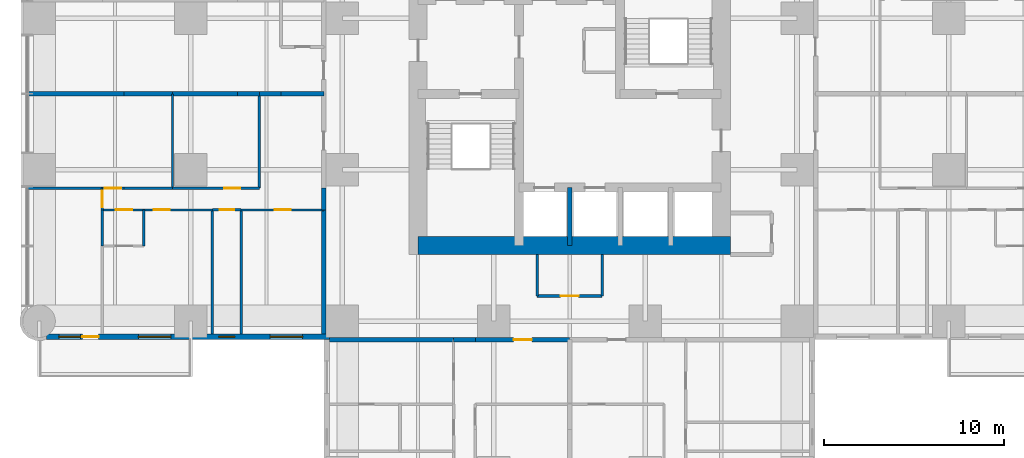
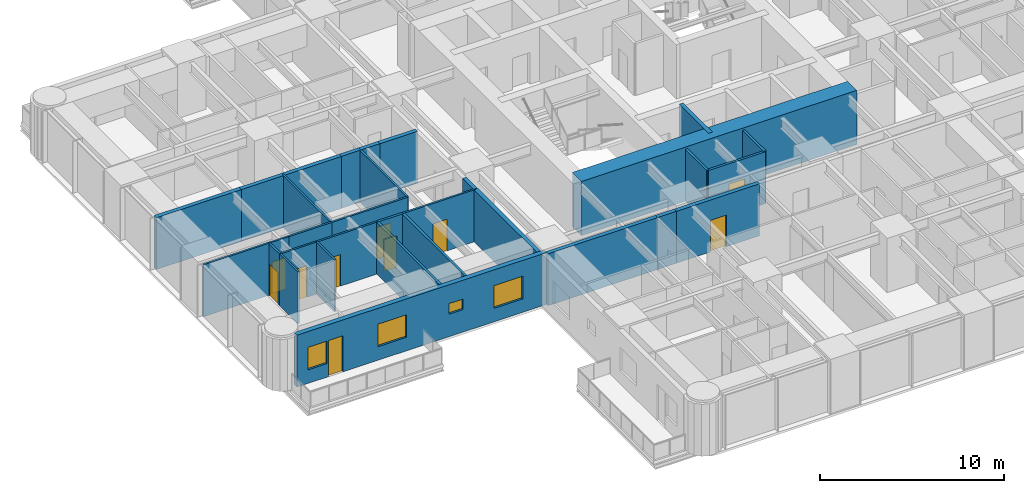
# One storey, part 8 of 17: 32 walls, 10 doors, 4 windows, 14 openings.
"""IFC4 building model written with IfcOpenShell, lengths in metres."""

from ifc_helpers import new_model, si_unit, direction, frame, frame_2d, origin, place, context, subcontext, project, spatial, rectangle, extrude, material, layer, layer_set, type_object, element, fill, save


model = new_model("IFC4")

# Units and contexts
model_context = context("Model", 3, precision=1e-05, world=origin(), true_north=direction((0.0, 1.0)))
body_context = subcontext(model_context, "Body", "Model", "MODEL_VIEW")
ifc_project = project(units=[si_unit("LENGTHUNIT", "METRE"), si_unit("AREAUNIT", "SQUARE_METRE"), si_unit("VOLUMEUNIT", "CUBIC_METRE"), si_unit("PLANEANGLEUNIT", "RADIAN"), si_unit("MASSUNIT", "GRAM", prefix="KILO")], contexts=[model_context])

# Site, building, storey
site_placement = place(None, origin())
site = spatial("IfcSite", under=ifc_project, at=site_placement, CompositionType="ELEMENT")
building_placement = place(site_placement, origin())
building = spatial("IfcBuilding", under=site, at=building_placement, Name="Torre Alcanfor", CompositionType="ELEMENT")
storey_placement = place(building_placement, frame((0.0, 0.0, 45.300048828125)))
storey = spatial("IfcBuildingStorey", under=building, at=storey_placement, Name="L10", CompositionType="ELEMENT", Elevation=45.300048828125)

# Wall, opening, door
ifc_material_1 = material(Name="Concrete block masonry, hollow blocks NMX-C-404 9 MPa", Category="masonry")
ifc_layer_1 = layer(ifc_material_1, 0.25)
ifc_layer_set_1 = layer_set([ifc_layer_1], Name="Apartment entrance wall 250 EI 60")
wall_type_1 = type_object("IfcWallType", Name="Apartment entrance wall 250 EI 60", PredefinedType="PARTITIONING", material=ifc_layer_set_1)
wall_1_placement = place(storey_placement, frame((29.39990234375, 15.77490234375, 0.0), z_axis=(0.0, 0.0, 1.0), x_axis=(-1.0, 0.0, 0.0)))
wall_1 = element("IfcWall", 1, at=wall_1_placement, inside=storey, type_object=wall_type_1, Name="Partition L10-CORR / L10-S2-ZAG", PredefinedType="PARTITIONING", context=body_context, shape_type="SweptSolid", body=[
    extrude(rectangle(XDim=5.22900390625, YDim=0.25, at=frame_2d((2.614501953125, 0.0))), origin(), (0.0, 0.0, 1.0), 3.449951171875),
])
opening_1_placement = place(wall_1_placement, frame((2.10009765625, 0.0, 0.0)))
opening_1 = element("IfcOpeningElement", 2, at=opening_1_placement, cuts=wall_1, Name="Opening D-A1", PredefinedType="OPENING", context=body_context, shape_type="SweptSolid", body=[
    extrude(rectangle(XDim=1.0, YDim=2.10009765625, at=frame_2d((0.5, 1.050048828125))), frame((0.0, 0.135009765625, 0.0), z_axis=(0.0, -1.0, 0.0), x_axis=(1.0, 0.0, 0.0)), (0.0, 0.0, 1.0), 0.27001953125),
])
ifc_material_2 = material(Name="Galvanised steel sheet ASTM A653", Category="steel")
door_type_1 = type_object("IfcDoorType", Name="Apartment entrance door FD60 1000x2100", OperationType="SINGLE_SWING_LEFT", PredefinedType="DOOR", material=ifc_material_2)
door_1_placement = place(opening_1_placement, origin())
door_1 = element("IfcDoor", 3, at=door_1_placement, inside=storey, type_object=door_type_1, Name="Apartment entrance L10-S2", OperationType="SINGLE_SWING_LEFT", OverallHeight=2.10009765625, OverallWidth=1.0, PredefinedType="DOOR", context=body_context, shape_type="SweptSolid", body=[
    extrude(rectangle(XDim=1.0, YDim=2.10009765625, at=frame_2d((0.5, 1.050048828125))), frame((0.0, 0.02490234375, 0.0), z_axis=(0.0, -1.0, 0.0), x_axis=(1.0, 0.0, 0.0)), (0.0, 0.0, 1.0), 0.050048828125),
])
fill(opening_1, door_1)

# Walls
wall_2_placement = place(storey_placement, frame((24.1708984375, 15.77490234375, 0.0), z_axis=(0.0, 0.0, 1.0), x_axis=(-1.0, 0.0, 0.0)))
element("IfcWall", 4, at=wall_2_placement, inside=storey, type_object=wall_type_1, Name="Partition L10-CORR / L10-S2-HALL", PredefinedType="PARTITIONING", context=body_context, shape_type="SweptSolid", body=[
    extrude(rectangle(XDim=1.199951171875, YDim=0.25, at=frame_2d((0.60009765625, 0.0))), origin(), (0.0, 0.0, 1.0), 3.449951171875),
])
wall_3_placement = place(storey_placement, frame((22.970947265625, 15.77490234375, 0.0), z_axis=(0.0, 0.0, 1.0), x_axis=(-1.0, 0.0, 0.0)))
element("IfcWall", 5, at=wall_3_placement, inside=storey, type_object=wall_type_1, Name="Partition L10-CORR / L10-S2-SERV", PredefinedType="PARTITIONING", context=body_context, shape_type="SweptSolid", body=[
    extrude(rectangle(XDim=6.870849609375, YDim=0.25, at=frame_2d((3.435546875, 0.0))), origin(), (0.0, 0.0, 1.0), 3.449951171875),
])
wall_4_placement = place(storey_placement, frame((15.77490234375, 22.970947265625, 0.0), z_axis=(0.0, 0.0, 1.0), x_axis=(0.0, 1.0, 0.0)))
element("IfcWall", 6, at=wall_4_placement, inside=storey, type_object=wall_type_1, Name="Partition L10-CORR / L10-W1-HALL", PredefinedType="PARTITIONING", context=body_context, shape_type="SweptSolid", body=[
    extrude(rectangle(XDim=1.199951171875, YDim=0.25, at=frame_2d((0.60009765625, 0.0))), origin(), (0.0, 0.0, 1.0), 3.449951171875),
])
wall_5_placement = place(storey_placement, frame((15.77490234375, 16.10009765625, 0.0), z_axis=(0.0, 0.0, 1.0), x_axis=(0.0, 1.0, 0.0)))
element("IfcWall", 7, at=wall_5_placement, inside=storey, type_object=wall_type_1, Name="Partition L10-CORR / L10-W1-BED2", PredefinedType="PARTITIONING", context=body_context, shape_type="SweptSolid", body=[
    extrude(rectangle(XDim=6.870849609375, YDim=0.25, at=frame_2d((3.435546875, 0.0))), origin(), (0.0, 0.0, 1.0), 3.449951171875),
])
ifc_material_3 = material(Name="Gypsum board on steel studs", Category="steel")
ifc_layer_2 = layer(ifc_material_3, 0.1201171875)
ifc_layer_set_2 = layer_set([ifc_layer_2], Name="Apartment partition 120")
wall_type_2 = type_object("IfcWallType", Name="Apartment partition 120", PredefinedType="PARTITIONING", material=ifc_layer_set_2)
for number, where, z_axis, x_axis, name in (
    (8, (12.199951171875, 29.39990234375, 0.0), (0.0, 0.0, 1.0), (0.0, -1.0, 0.0), "Partition L10-W1-ZAG / L10-W1-FAMILY"),
    (9, (7.39990234375, 29.39990234375, 0.0), (0.0, 0.0, 1.0), (0.0, -1.0, 0.0), "Partition L10-W1-FAMILY / L10-W1-KITCHEN"),
):
    element("IfcWall", number, at=place(storey_placement, frame(where, z_axis=z_axis, x_axis=x_axis)), inside=storey, type_object=wall_type_2, Name=name, PredefinedType="PARTITIONING", context=body_context, shape_type="SweptSolid", body=[
        extrude(rectangle(XDim=5.22900390625, YDim=0.1201171875, at=frame_2d((2.614501953125, 0.0))), origin(), (0.0, 0.0, 1.0), 3.449951171875),
    ])

# Wall, opening, door
wall_6_placement = place(storey_placement, frame((7.39990234375, 24.1708984375, 0.0), z_axis=(0.0, 0.0, 1.0), x_axis=(1.0, 0.0, 0.0)))
wall_6 = element("IfcWall", 10, at=wall_6_placement, inside=storey, type_object=wall_type_2, Name="Partition L10-W1-FAMILY / L10-W1-HALL", PredefinedType="PARTITIONING", context=body_context, shape_type="SweptSolid", body=[
    extrude(rectangle(XDim=4.800048828125, YDim=0.1201171875, at=frame_2d((2.39990234375, 0.0))), origin(), (0.0, 0.0, 1.0), 3.449951171875),
])
opening_2_placement = place(wall_6_placement, frame((2.85009765625, 0.0, 0.0)))
opening_2 = element("IfcOpeningElement", 11, at=opening_2_placement, cuts=wall_6, Name="Opening D-R1", PredefinedType="OPENING", context=body_context, shape_type="SweptSolid", body=[
    extrude(rectangle(XDim=0.89990234375, YDim=2.10009765625, at=frame_2d((0.449951171875, 1.050048828125))), frame((0.0, 0.070068359375, 0.0), z_axis=(0.0, -1.0, 0.0), x_axis=(1.0, 0.0, 0.0)), (0.0, 0.0, 1.0), 0.14013671875),
])
ifc_material_4 = material(Name="Timber", Category="wood")
door_type_2 = type_object("IfcDoorType", Name="Internal door 900x2100", OperationType="SINGLE_SWING_LEFT", PredefinedType="DOOR", material=ifc_material_4)
door_2_placement = place(opening_2_placement, origin())
door_2 = element("IfcDoor", 12, at=door_2_placement, inside=storey, type_object=door_type_2, Name="Door L10-W1 family", OperationType="SINGLE_SWING_RIGHT", OverallHeight=2.10009765625, OverallWidth=0.89990234375, PredefinedType="DOOR", context=body_context, shape_type="SweptSolid", body=[
    extrude(rectangle(XDim=0.89990234375, YDim=2.10009765625, at=frame_2d((0.449951171875, 1.050048828125))), frame((0.0, 0.02490234375, 0.0), z_axis=(0.0, -1.0, 0.0), x_axis=(1.0, 0.0, 0.0)), (0.0, 0.0, 1.0), 0.050048828125),
])
fill(opening_2, door_2)

# Wall
wall_7_placement = place(storey_placement, frame((4.699951171875, 24.1708984375, 0.0), z_axis=(0.0, 0.0, 1.0), x_axis=(1.0, 0.0, 0.0)))
element("IfcWall", 13, at=wall_7_placement, inside=storey, type_object=wall_type_2, Name="Partition L10-W1-KITCHEN / L10-W1-HALL", PredefinedType="PARTITIONING", context=body_context, shape_type="SweptSolid", body=[
    extrude(rectangle(XDim=2.699951171875, YDim=0.1201171875, at=frame_2d((1.35009765625, 0.0))), origin(), (0.0, 0.0, 1.0), 3.449951171875),
])

# Wall, opening, door
wall_8_placement = place(storey_placement, frame((3.5, 24.1708984375, 0.0), z_axis=(0.0, 0.0, 1.0), x_axis=(1.0, 0.0, 0.0)))
wall_8 = element("IfcWall", 14, at=wall_8_placement, inside=storey, type_object=wall_type_2, Name="Partition L10-W1-LIVING / L10-W1-HALL", PredefinedType="PARTITIONING", context=body_context, shape_type="SweptSolid", body=[
    extrude(rectangle(XDim=1.199951171875, YDim=0.1201171875, at=frame_2d((0.60009765625, 0.0))), origin(), (0.0, 0.0, 1.0), 3.449951171875),
])
opening_3_placement = place(wall_8_placement, frame((0.14990234375, 0.0, 0.0)))
opening_3 = element("IfcOpeningElement", 15, at=opening_3_placement, cuts=wall_8, Name="Opening D-R1", PredefinedType="OPENING", context=body_context, shape_type="SweptSolid", body=[
    extrude(rectangle(XDim=0.89990234375, YDim=2.10009765625, at=frame_2d((0.449951171875, 1.050048828125))), frame((0.0, 0.070068359375, 0.0), z_axis=(0.0, -1.0, 0.0), x_axis=(1.0, 0.0, 0.0)), (0.0, 0.0, 1.0), 0.14013671875),
])
door_3_placement = place(opening_3_placement, origin())
door_3 = element("IfcDoor", 16, at=door_3_placement, inside=storey, type_object=door_type_2, Name="Door L10-W1 living", OperationType="SINGLE_SWING_RIGHT", OverallHeight=2.10009765625, OverallWidth=0.89990234375, PredefinedType="DOOR", context=body_context, shape_type="SweptSolid", body=[
    extrude(rectangle(XDim=0.89990234375, YDim=2.10009765625, at=frame_2d((0.449951171875, 1.050048828125))), frame((0.0, 0.02490234375, 0.0), z_axis=(0.0, -1.0, 0.0), x_axis=(1.0, 0.0, 0.0)), (0.0, 0.0, 1.0), 0.050048828125),
])
fill(opening_3, door_3)

# Wall
wall_9_placement = place(storey_placement, frame((-0.64990234375, 24.1708984375, 0.0), z_axis=(0.0, 0.0, 1.0), x_axis=(1.0, 0.0, 0.0)))
element("IfcWall", 17, at=wall_9_placement, inside=storey, type_object=wall_type_2, Name="Partition L10-W1-LIVING / L10-W1-WGARD", PredefinedType="PARTITIONING", context=body_context, shape_type="SweptSolid", body=[
    extrude(rectangle(XDim=4.14990234375, YDim=0.1201171875, at=frame_2d((2.074951171875, 0.0))), origin(), (0.0, 0.0, 1.0), 3.449951171875),
])

# Wall, opening, door
wall_10_placement = place(storey_placement, frame((11.199951171875, 22.970947265625, 0.0), z_axis=(0.0, 0.0, 1.0), x_axis=(1.0, 0.0, 0.0)))
wall_10 = element("IfcWall", 18, at=wall_10_placement, inside=storey, type_object=wall_type_2, Name="Partition L10-W1-HALL / L10-W1-BED2", PredefinedType="PARTITIONING", context=body_context, shape_type="SweptSolid", body=[
    extrude(rectangle(XDim=4.574951171875, YDim=0.1201171875, at=frame_2d((2.28759765625, 0.0))), origin(), (0.0, 0.0, 1.0), 3.449951171875),
])
opening_4_placement = place(wall_10_placement, frame((1.85009765625, 0.0, 0.0)))
opening_4 = element("IfcOpeningElement", 19, at=opening_4_placement, cuts=wall_10, Name="Opening D-R1", PredefinedType="OPENING", context=body_context, shape_type="SweptSolid", body=[
    extrude(rectangle(XDim=0.89990234375, YDim=2.10009765625, at=frame_2d((0.449951171875, 1.050048828125))), frame((0.0, 0.070068359375, 0.0), z_axis=(0.0, -1.0, 0.0), x_axis=(1.0, 0.0, 0.0)), (0.0, 0.0, 1.0), 0.14013671875),
])
door_4_placement = place(opening_4_placement, frame((0.89990234375, 0.0, 0.0), z_axis=(0.0, 0.0, 1.0), x_axis=(-1.0, 0.0, 0.0)))
door_4 = element("IfcDoor", 20, at=door_4_placement, inside=storey, type_object=door_type_2, Name="Door L10-W1 bed2", OperationType="SINGLE_SWING_LEFT", OverallHeight=2.10009765625, OverallWidth=0.89990234375, PredefinedType="DOOR", context=body_context, shape_type="SweptSolid", body=[
    extrude(rectangle(XDim=0.89990234375, YDim=2.10009765625, at=frame_2d((0.449951171875, 1.050048828125))), frame((0.0, 0.025146484375, 0.0), z_axis=(0.0, -1.0, 0.0), x_axis=(1.0, 0.0, 0.0)), (0.0, 0.0, 1.0), 0.050048828125),
])
fill(opening_4, door_4)

wall_11_placement = place(storey_placement, frame((5.800048828125, 22.970947265625, 0.0), z_axis=(0.0, 0.0, 1.0), x_axis=(1.0, 0.0, 0.0)))
wall_11 = element("IfcWall", 21, at=wall_11_placement, inside=storey, type_object=wall_type_2, Name="Partition L10-W1-HALL / L10-W1-MASTER", PredefinedType="PARTITIONING", context=body_context, shape_type="SweptSolid", body=[
    extrude(rectangle(XDim=3.800048828125, YDim=0.1201171875, at=frame_2d((1.89990234375, 0.0))), origin(), (0.0, 0.0, 1.0), 3.449951171875),
])
opening_5_placement = place(wall_11_placement, frame((0.550048828125, 0.0, 0.0)))
opening_5 = element("IfcOpeningElement", 22, at=opening_5_placement, cuts=wall_11, Name="Opening D-R1", PredefinedType="OPENING", context=body_context, shape_type="SweptSolid", body=[
    extrude(rectangle(XDim=0.89990234375, YDim=2.10009765625, at=frame_2d((0.449951171875, 1.050048828125))), frame((0.0, 0.070068359375, 0.0), z_axis=(0.0, -1.0, 0.0), x_axis=(1.0, 0.0, 0.0)), (0.0, 0.0, 1.0), 0.14013671875),
])
door_5_placement = place(opening_5_placement, frame((0.89990234375, 0.0, 0.0), z_axis=(0.0, 0.0, 1.0), x_axis=(-1.0, 0.0, 0.0)))
door_5 = element("IfcDoor", 23, at=door_5_placement, inside=storey, type_object=door_type_2, Name="Door L10-W1 master", OperationType="SINGLE_SWING_RIGHT", OverallHeight=2.10009765625, OverallWidth=0.89990234375, PredefinedType="DOOR", context=body_context, shape_type="SweptSolid", body=[
    extrude(rectangle(XDim=0.89990234375, YDim=2.10009765625, at=frame_2d((0.449951171875, 1.050048828125))), frame((0.0, 0.025146484375, 0.0), z_axis=(0.0, -1.0, 0.0), x_axis=(1.0, 0.0, 0.0)), (0.0, 0.0, 1.0), 0.050048828125),
])
fill(opening_5, door_5)

wall_12_placement = place(storey_placement, frame((3.5, 22.970947265625, 0.0), z_axis=(0.0, 0.0, 1.0), x_axis=(1.0, 0.0, 0.0)))
wall_12 = element("IfcWall", 24, at=wall_12_placement, inside=storey, type_object=wall_type_2, Name="Partition L10-W1-HALL / L10-W1-VEST", PredefinedType="PARTITIONING", context=body_context, shape_type="SweptSolid", body=[
    extrude(rectangle(XDim=2.300048828125, YDim=0.1201171875, at=frame_2d((1.14990234375, 0.0))), origin(), (0.0, 0.0, 1.0), 3.449951171875),
])
opening_6_placement = place(wall_12_placement, frame((0.75, 0.0, 0.0)))
opening_6 = element("IfcOpeningElement", 25, at=opening_6_placement, cuts=wall_12, Name="Opening D-R1", PredefinedType="OPENING", context=body_context, shape_type="SweptSolid", body=[
    extrude(rectangle(XDim=0.89990234375, YDim=2.10009765625, at=frame_2d((0.449951171875, 1.050048828125))), frame((0.0, 0.070068359375, 0.0), z_axis=(0.0, -1.0, 0.0), x_axis=(1.0, 0.0, 0.0)), (0.0, 0.0, 1.0), 0.14013671875),
])
door_6_placement = place(opening_6_placement, frame((0.89990234375, 0.0, 0.0), z_axis=(0.0, 0.0, 1.0), x_axis=(-1.0, 0.0, 0.0)))
door_6 = element("IfcDoor", 26, at=door_6_placement, inside=storey, type_object=door_type_2, Name="Door L10-W1 vest", OperationType="SINGLE_SWING_LEFT", OverallHeight=2.10009765625, OverallWidth=0.89990234375, PredefinedType="DOOR", context=body_context, shape_type="SweptSolid", body=[
    extrude(rectangle(XDim=0.89990234375, YDim=2.10009765625, at=frame_2d((0.449951171875, 1.050048828125))), frame((0.0, 0.025146484375, 0.0), z_axis=(0.0, -1.0, 0.0), x_axis=(1.0, 0.0, 0.0)), (0.0, 0.0, 1.0), 0.050048828125),
])
fill(opening_6, door_6)

wall_13_placement = place(storey_placement, frame((3.5, 24.1708984375, 0.0), z_axis=(0.0, 0.0, 1.0), x_axis=(0.0, -1.0, 0.0)))
wall_13 = element("IfcWall", 27, at=wall_13_placement, inside=storey, type_object=wall_type_2, Name="Partition L10-W1-HALL / L10-W1-WGARD", PredefinedType="PARTITIONING", context=body_context, shape_type="SweptSolid", body=[
    extrude(rectangle(XDim=1.199951171875, YDim=0.1201171875, at=frame_2d((0.60009765625, 0.0))), origin(), (0.0, 0.0, 1.0), 3.449951171875),
])
opening_7_placement = place(wall_13_placement, frame((0.15087890625, 0.0, 0.0)))
opening_7 = element("IfcOpeningElement", 28, at=opening_7_placement, cuts=wall_13, Name="Opening D-R1", PredefinedType="OPENING", context=body_context, shape_type="SweptSolid", body=[
    extrude(rectangle(XDim=0.89990234375, YDim=2.10009765625, at=frame_2d((0.449951171875, 1.050048828125))), frame((0.0, 0.070068359375, 0.0), z_axis=(0.0, -1.0, 0.0), x_axis=(1.0, 0.0, 0.0)), (0.0, 0.0, 1.0), 0.14013671875),
])
door_7_placement = place(opening_7_placement, frame((0.89990234375, 0.0, 0.0), z_axis=(0.0, 0.0, 1.0), x_axis=(-1.0, 0.0, 0.0)))
door_7 = element("IfcDoor", 29, at=door_7_placement, inside=storey, type_object=door_type_2, Name="Door L10-W1 wgard", OperationType="SINGLE_SWING_RIGHT", OverallHeight=2.10009765625, OverallWidth=0.89990234375, PredefinedType="DOOR", context=body_context, shape_type="SweptSolid", body=[
    extrude(rectangle(XDim=0.89990234375, YDim=2.10009765625, at=frame_2d((0.449951171875, 1.050048828125))), frame((0.0, 0.025146484375, 0.0), z_axis=(0.0, -1.0, 0.0), x_axis=(1.0, 0.0, 0.0)), (0.0, 0.0, 1.0), 0.050048828125),
])
fill(opening_7, door_7)

# Walls
for number, where, z_axis, x_axis, name in (
    (30, (5.800048828125, 20.970947265625, 0.0), (0.0, 0.0, 1.0), (0.0, 1.0, 0.0), "Partition L10-W1-MASTER / L10-W1-VEST"),
    (31, (3.5, 22.970947265625, 0.0), (0.0, 0.0, 1.0), (0.0, -1.0, 0.0), "Partition L10-W1-VEST / L10-W1-WGARD"),
):
    element("IfcWall", number, at=place(storey_placement, frame(where, z_axis=z_axis, x_axis=x_axis)), inside=storey, type_object=wall_type_2, Name=name, PredefinedType="PARTITIONING", context=body_context, shape_type="SweptSolid", body=[
        extrude(rectangle(XDim=2.0, YDim=0.1201171875, at=frame_2d((1.0, 0.0))), origin(), (0.0, 0.0, 1.0), 3.449951171875),
    ])
ifc_material_5 = material(Name="Concrete f'c 70 MPa", Category="concrete")
ifc_layer_3 = layer(ifc_material_5, 0.25)
ifc_layer_set_3 = layer_set([ifc_layer_3], Name="Core shaft wall 250 f'c70")
wall_type_3 = type_object("IfcWallType", Name="Core shaft wall 250 f'c70", PredefinedType="SHEAR", material=ifc_layer_set_3)
wall_14_placement = place(storey_placement, frame((29.39990234375, 21.0, 0.0), z_axis=(0.0, 0.0, 1.0), x_axis=(0.0, 1.0, 0.0)))
element("IfcWall", 32, at=wall_14_placement, inside=storey, type_object=wall_type_3, Name="Core wall X294S L10", PredefinedType="SHEAR", context=body_context, shape_type="SweptSolid", body=[
    extrude(rectangle(XDim=3.199951171875, YDim=0.25, at=frame_2d((1.60009765625, 0.0))), origin(), (0.0, 0.0, 1.0), 3.599853515625),
])
ifc_material_6 = material(Name="Concrete f'c 70 MPa", Category="concrete")
ifc_layer_4 = layer(ifc_material_6, 1.0)
ifc_layer_set_4 = layer_set([ifc_layer_4], Name="Core wall 1000 f'c70")
wall_type_4 = type_object("IfcWallType", Name="Core wall 1000 f'c70", PredefinedType="SHEAR", material=ifc_layer_set_4)
wall_15_placement = place(storey_placement, frame((21.0, 21.0, 0.0), z_axis=(0.0, 0.0, 1.0), x_axis=(1.0, 0.0, 0.0)))
element("IfcWall", 33, at=wall_15_placement, inside=storey, type_object=wall_type_4, Name="Core wall OUT-S L10", PredefinedType="SHEAR", context=body_context, shape_type="SweptSolid", body=[
    extrude(rectangle(XDim=17.300048828125, YDim=1.0, at=frame_2d((8.64990234375, 0.0))), origin(), (0.0, 0.0, 1.0), 3.599853515625),
])

# Wall, openings, door, windows
ifc_material_7 = material(Name="Limestone cladding", Category="masonry")
ifc_layer_5 = layer(ifc_material_7, 0.0400390625, Name="Facing")
ifc_material_8 = material(Name="Ventilated air cavity")
ifc_layer_6 = layer(ifc_material_8, 0.02001953125, ventilated=True, Name="Ventilated joint")
ifc_material_9 = material(Name="Mineral wool insulation", Category="insulation")
ifc_layer_7 = layer(ifc_material_9, 0.10009765625, Name="Insulation")
ifc_material_10 = material(Name="Concrete f'c 35 MPa", Category="concrete")
ifc_layer_8 = layer(ifc_material_10, 0.139892578125, Name="Backing")
ifc_layer_set_5 = layer_set([ifc_layer_5, ifc_layer_6, ifc_layer_7, ifc_layer_8], Name="External wall stone-clad 300")
wall_type_5 = type_object("IfcWallType", Name="External wall stone-clad 300", PredefinedType="SOLIDWALL", material=ifc_layer_set_5)
wall_16_placement = place(storey_placement, frame((0.39990234375, 15.949951171875, 0.0), z_axis=(0.0, 0.0, 1.0), x_axis=(1.0, 0.0, 0.0)))
wall_16 = element("IfcWall", 34, at=wall_16_placement, inside=storey, type_object=wall_type_5, Name="External wall L10 3", PredefinedType="SOLIDWALL", context=body_context, shape_type="SweptSolid", body=[
    extrude(rectangle(XDim=15.7001953125, YDim=0.300048828125, at=frame_2d((7.85009765625, 0.0))), origin(), (0.0, 0.0, 1.0), 3.449951171875),
])
opening_8_placement = place(wall_16_placement, frame((12.39990234375, 0.0, 0.89990234375)))
opening_8 = element("IfcOpeningElement", 35, at=opening_8_placement, cuts=wall_16, Name="Opening W2", PredefinedType="OPENING", context=body_context, shape_type="SweptSolid", body=[
    extrude(rectangle(XDim=1.800048828125, YDim=1.5, at=frame_2d((0.89990234375, 0.75))), frame((0.0, 0.159912109375, 0.0), z_axis=(0.0, -1.0, 0.0), x_axis=(1.0, 0.0, 0.0)), (0.0, 0.0, 1.0), 0.320068359375),
])
opening_9_placement = place(wall_16_placement, frame((9.550048828125, 0.0, 1.5)))
opening_9 = element("IfcOpeningElement", 36, at=opening_9_placement, cuts=wall_16, Name="Opening W3", PredefinedType="OPENING", context=body_context, shape_type="SweptSolid", body=[
    extrude(rectangle(XDim=0.89990234375, YDim=0.699951171875, at=frame_2d((0.449951171875, 0.35009765625))), frame((0.0, 0.159912109375, 0.0), z_axis=(0.0, -1.0, 0.0), x_axis=(1.0, 0.0, 0.0)), (0.0, 0.0, 1.0), 0.320068359375),
])
opening_10_placement = place(wall_16_placement, frame((5.10009765625, 0.0, 0.89990234375)))
opening_10 = element("IfcOpeningElement", 37, at=opening_10_placement, cuts=wall_16, Name="Opening W2", PredefinedType="OPENING", context=body_context, shape_type="SweptSolid", body=[
    extrude(rectangle(XDim=1.800048828125, YDim=1.5, at=frame_2d((0.89990234375, 0.75))), frame((0.0, 0.159912109375, 0.0), z_axis=(0.0, -1.0, 0.0), x_axis=(1.0, 0.0, 0.0)), (0.0, 0.0, 1.0), 0.320068359375),
])
opening_11_placement = place(wall_16_placement, frame((2.0, 0.0, 0.0)))
opening_11 = element("IfcOpeningElement", 38, at=opening_11_placement, cuts=wall_16, Name="Opening D-B1", PredefinedType="OPENING", context=body_context, shape_type="SweptSolid", body=[
    extrude(rectangle(XDim=0.89990234375, YDim=2.39990234375, at=frame_2d((0.449951171875, 1.199951171875))), frame((0.0, 0.159912109375, 0.0), z_axis=(0.0, -1.0, 0.0), x_axis=(1.0, 0.0, 0.0)), (0.0, 0.0, 1.0), 0.320068359375),
])
opening_12_placement = place(wall_16_placement, frame((0.699951171875, 0.0, 0.89990234375)))
opening_12 = element("IfcOpeningElement", 39, at=opening_12_placement, cuts=wall_16, Name="Opening W4", PredefinedType="OPENING", context=body_context, shape_type="SweptSolid", body=[
    extrude(rectangle(XDim=1.199951171875, YDim=1.5, at=frame_2d((0.60009765625, 0.75))), frame((0.0, 0.159912109375, 0.0), z_axis=(0.0, -1.0, 0.0), x_axis=(1.0, 0.0, 0.0)), (0.0, 0.0, 1.0), 0.320068359375),
])
ifc_material_11 = material(Name="Aluminium and glass", Category="aluminium")
door_type_3 = type_object("IfcDoorType", Name="Balcony door glazed 900x2400", OperationType="SINGLE_SWING_LEFT", PredefinedType="DOOR", material=ifc_material_11)
door_8_placement = place(opening_11_placement, origin())
door_8 = element("IfcDoor", 40, at=door_8_placement, inside=storey, type_object=door_type_3, Name="Balcony door L10-W1", OperationType="SINGLE_SWING_RIGHT", OverallHeight=2.39990234375, OverallWidth=0.89990234375, PredefinedType="DOOR", context=body_context, shape_type="SweptSolid", body=[
    extrude(rectangle(XDim=0.89990234375, YDim=2.39990234375, at=frame_2d((0.449951171875, 1.199951171875))), frame((0.0, 0.02490234375, 0.0), z_axis=(0.0, -1.0, 0.0), x_axis=(1.0, 0.0, 0.0)), (0.0, 0.0, 1.0), 0.050048828125),
])
fill(opening_11, door_8)
ifc_material_12 = material(Name="Aluminium frame with clear double glazing", Category="aluminium")
window_type_1 = type_object("IfcWindowType", Name="Window bathroom 900x700", PartitioningType="SINGLE_PANEL", PredefinedType="WINDOW", material=ifc_material_12)
window_1_placement = place(opening_9_placement, origin())
window_1 = element("IfcWindow", 41, at=window_1_placement, inside=storey, type_object=window_type_1, Name="Window W3 L10-W1", OverallHeight=0.699951171875, OverallWidth=0.89990234375, PartitioningType="SINGLE_PANEL", PredefinedType="WINDOW", context=body_context, shape_type="SweptSolid", body=[
    extrude(rectangle(XDim=0.89990234375, YDim=0.699951171875, at=frame_2d((0.449951171875, 0.35009765625))), frame((0.0, 0.030029296875, 0.0), z_axis=(0.0, -1.0, 0.0), x_axis=(1.0, 0.0, 0.0)), (0.0, 0.0, 1.0), 0.06005859375),
])
fill(opening_9, window_1)
ifc_material_13 = material(Name="Aluminium frame with clear double glazing", Category="aluminium")
window_type_2 = type_object("IfcWindowType", Name="Window bedroom 1200x1500", PartitioningType="SINGLE_PANEL", PredefinedType="WINDOW", material=ifc_material_13)
window_2_placement = place(opening_12_placement, origin())
window_2 = element("IfcWindow", 42, at=window_2_placement, inside=storey, type_object=window_type_2, Name="Window W4 L10-W1", OverallHeight=1.5, OverallWidth=1.199951171875, PartitioningType="SINGLE_PANEL", PredefinedType="WINDOW", context=body_context, shape_type="SweptSolid", body=[
    extrude(rectangle(XDim=1.199951171875, YDim=1.5, at=frame_2d((0.60009765625, 0.75))), frame((0.0, 0.030029296875, 0.0), z_axis=(0.0, -1.0, 0.0), x_axis=(1.0, 0.0, 0.0)), (0.0, 0.0, 1.0), 0.06005859375),
])
fill(opening_12, window_2)
ifc_material_14 = material(Name="Aluminium frame with clear double glazing", Category="aluminium")
window_type_3 = type_object("IfcWindowType", Name="Window bedroom 1800x1500", PartitioningType="SINGLE_PANEL", PredefinedType="WINDOW", material=ifc_material_14)
window_3_placement = place(opening_8_placement, origin())
window_3 = element("IfcWindow", 43, at=window_3_placement, inside=storey, type_object=window_type_3, Name="Window W2 L10-W1", OverallHeight=1.5, OverallWidth=1.800048828125, PartitioningType="SINGLE_PANEL", PredefinedType="WINDOW", context=body_context, shape_type="SweptSolid", body=[
    extrude(rectangle(XDim=1.800048828125, YDim=1.5, at=frame_2d((0.89990234375, 0.75))), frame((0.0, 0.030029296875, 0.0), z_axis=(0.0, -1.0, 0.0), x_axis=(1.0, 0.0, 0.0)), (0.0, 0.0, 1.0), 0.06005859375),
])
fill(opening_8, window_3)
window_4_placement = place(opening_10_placement, origin())
window_4 = element("IfcWindow", 44, at=window_4_placement, inside=storey, type_object=window_type_3, Name="Window W2 L10-W1", OverallHeight=1.5, OverallWidth=1.800048828125, PartitioningType="SINGLE_PANEL", PredefinedType="WINDOW", context=body_context, shape_type="SweptSolid", body=[
    extrude(rectangle(XDim=1.800048828125, YDim=1.5, at=frame_2d((0.89990234375, 0.75))), frame((0.0, 0.030029296875, 0.0), z_axis=(0.0, -1.0, 0.0), x_axis=(1.0, 0.0, 0.0)), (0.0, 0.0, 1.0), 0.06005859375),
])
fill(opening_10, window_4)

# Walls
ifc_material_15 = material(Name="Concrete block masonry, hollow blocks NMX-C-404 9 MPa", Category="masonry")
ifc_layer_9 = layer(ifc_material_15, 0.25)
ifc_layer_set_6 = layer_set([ifc_layer_9], Name="Party wall 250 EI 60")
wall_type_6 = type_object("IfcWallType", Name="Party wall 250 EI 60", PredefinedType="PARTITIONING", material=ifc_layer_set_6)
wall_17_placement = place(storey_placement, frame((15.77490234375, 29.39990234375, 0.0), z_axis=(0.0, 0.0, 1.0), x_axis=(-1.0, 0.0, 0.0)))
element("IfcWall", 45, at=wall_17_placement, inside=storey, type_object=wall_type_6, Name="Partition L10-W1-ZAG / L10-W2A-FOYER", PredefinedType="PARTITIONING", context=body_context, shape_type="SweptSolid", body=[
    extrude(rectangle(XDim=2.375, YDim=0.25, at=frame_2d((1.1875, 0.0))), origin(), (0.0, 0.0, 1.0), 3.449951171875),
])
for number, where, z_axis, x_axis, name in (
    (46, (13.39990234375, 29.39990234375, 0.0), (0.0, 0.0, 1.0), (-1.0, 0.0, 0.0), "Partition L10-W1-ZAG / L10-W2A-KITCHEN"),
    (47, (12.199951171875, 29.39990234375, 0.0), (0.0, 0.0, 1.0), (-1.0, 0.0, 0.0), "Partition L10-W1-FAMILY / L10-W2A-KITCHEN"),
):
    element("IfcWall", number, at=place(storey_placement, frame(where, z_axis=z_axis, x_axis=x_axis)), inside=storey, type_object=wall_type_6, Name=name, PredefinedType="PARTITIONING", context=body_context, shape_type="SweptSolid", body=[
        extrude(rectangle(XDim=1.199951171875, YDim=0.25, at=frame_2d((0.60009765625, 0.0))), origin(), (0.0, 0.0, 1.0), 3.449951171875),
    ])
wall_18_placement = place(storey_placement, frame((11.0, 29.39990234375, 0.0), z_axis=(0.0, 0.0, 1.0), x_axis=(-1.0, 0.0, 0.0)))
element("IfcWall", 48, at=wall_18_placement, inside=storey, type_object=wall_type_6, Name="Partition L10-W1-FAMILY / L10-W2A-STUDIO", PredefinedType="PARTITIONING", context=body_context, shape_type="SweptSolid", body=[
    extrude(rectangle(XDim=3.60009765625, YDim=0.25, at=frame_2d((1.800048828125, 0.0))), origin(), (0.0, 0.0, 1.0), 3.449951171875),
])
wall_19_placement = place(storey_placement, frame((7.39990234375, 29.39990234375, 0.0), z_axis=(0.0, 0.0, 1.0), x_axis=(-1.0, 0.0, 0.0)))
element("IfcWall", 49, at=wall_19_placement, inside=storey, type_object=wall_type_6, Name="Partition L10-W1-KITCHEN / L10-W2A-STUDIO", PredefinedType="PARTITIONING", context=body_context, shape_type="SweptSolid", body=[
    extrude(rectangle(XDim=2.699951171875, YDim=0.25, at=frame_2d((1.35009765625, 0.0))), origin(), (0.0, 0.0, 1.0), 3.449951171875),
])
wall_20_placement = place(storey_placement, frame((4.699951171875, 29.39990234375, 0.0), z_axis=(0.0, 0.0, 1.0), x_axis=(-1.0, 0.0, 0.0)))
element("IfcWall", 50, at=wall_20_placement, inside=storey, type_object=wall_type_6, Name="Partition L10-W1-LIVING / L10-W2A-STUDIO", PredefinedType="PARTITIONING", context=body_context, shape_type="SweptSolid", body=[
    extrude(rectangle(XDim=5.349853515625, YDim=0.25, at=frame_2d((2.6748046875, 0.0))), origin(), (0.0, 0.0, 1.0), 3.449951171875),
])
ifc_material_16 = material(Name="Concrete block masonry, hollow blocks NMX-C-404 9 MPa", Category="masonry")
ifc_layer_10 = layer(ifc_material_16, 0.14990234375)
ifc_layer_set_7 = layer_set([ifc_layer_10], Name="Residents' room partition 150")
wall_type_7 = type_object("IfcWallType", Name="Residents' room partition 150", PredefinedType="PARTITIONING", material=ifc_layer_set_7)
wall_21_placement = place(storey_placement, frame((27.60009765625, 20.5, 0.0), z_axis=(0.0, 0.0, 1.0), x_axis=(0.0, -1.0, 0.0)))
element("IfcWall", 51, at=wall_21_placement, inside=storey, type_object=wall_type_7, Name="Partition L10-CORR / L10-G04", PredefinedType="PARTITIONING", context=body_context, shape_type="SweptSolid", body=[
    extrude(rectangle(XDim=2.300048828125, YDim=0.14990234375, at=frame_2d((1.14990234375, 0.0))), origin(), (0.0, 0.0, 1.0), 3.449951171875),
])

# Wall, opening, door
wall_22_placement = place(storey_placement, frame((27.60009765625, 18.199951171875, 0.0), z_axis=(0.0, 0.0, 1.0), x_axis=(1.0, 0.0, 0.0)))
wall_22 = element("IfcWall", 52, at=wall_22_placement, inside=storey, type_object=wall_type_7, Name="Partition L10-CORR / L10-G04", PredefinedType="PARTITIONING", context=body_context, shape_type="SweptSolid", body=[
    extrude(rectangle(XDim=3.599853515625, YDim=0.14990234375, at=frame_2d((1.7998046875, 0.0))), origin(), (0.0, 0.0, 1.0), 3.449951171875),
])
opening_13_placement = place(wall_22_placement, frame((1.300048828125, 0.0, 0.0)))
opening_13 = element("IfcOpeningElement", 53, at=opening_13_placement, cuts=wall_22, Name="Opening D-M1", PredefinedType="OPENING", context=body_context, shape_type="SweptSolid", body=[
    extrude(rectangle(XDim=1.0, YDim=2.10009765625, at=frame_2d((0.5, 1.050048828125))), frame((0.0, 0.0849609375, 0.0), z_axis=(0.0, -1.0, 0.0), x_axis=(1.0, 0.0, 0.0)), (0.0, 0.0, 1.0), 0.169921875),
])
ifc_material_17 = material(Name="Timber", Category="wood")
door_type_4 = type_object("IfcDoorType", Name="Residents' room door 1000x2100", OperationType="SINGLE_SWING_LEFT", PredefinedType="DOOR", material=ifc_material_17)
door_9_placement = place(opening_13_placement, origin())
door_9 = element("IfcDoor", 54, at=door_9_placement, inside=storey, type_object=door_type_4, Name="Door L10-G04 residents' storage lockers", OperationType="SINGLE_SWING_LEFT", OverallHeight=2.10009765625, OverallWidth=1.0, PredefinedType="DOOR", context=body_context, shape_type="SweptSolid", body=[
    extrude(rectangle(XDim=1.0, YDim=2.10009765625, at=frame_2d((0.5, 1.050048828125))), frame((0.0, 0.02490234375, 0.0), z_axis=(0.0, -1.0, 0.0), x_axis=(1.0, 0.0, 0.0)), (0.0, 0.0, 1.0), 0.050048828125),
])
fill(opening_13, door_9)

# Wall
wall_23_placement = place(storey_placement, frame((31.199951171875, 18.199951171875, 0.0), z_axis=(0.0, 0.0, 1.0), x_axis=(0.0, 1.0, 0.0)))
element("IfcWall", 55, at=wall_23_placement, inside=storey, type_object=wall_type_7, Name="Partition L10-CORR / L10-G04", PredefinedType="PARTITIONING", context=body_context, shape_type="SweptSolid", body=[
    extrude(rectangle(XDim=2.300048828125, YDim=0.14990234375, at=frame_2d((1.14990234375, 0.0))), origin(), (0.0, 0.0, 1.0), 3.449951171875),
])

# Wall, opening, door
ifc_material_18 = material(Name="Cement board on steel studs", Category="steel")
ifc_layer_11 = layer(ifc_material_18, 0.14990234375)
ifc_layer_set_8 = layer_set([ifc_layer_11], Name="Wet area partition 150")
wall_type_8 = type_object("IfcWallType", Name="Wet area partition 150", PredefinedType="PARTITIONING", material=ifc_layer_set_8)
wall_24_placement = place(storey_placement, frame((9.60009765625, 22.970947265625, 0.0), z_axis=(0.0, 0.0, 1.0), x_axis=(1.0, 0.0, 0.0)))
wall_24 = element("IfcWall", 56, at=wall_24_placement, inside=storey, type_object=wall_type_8, Name="Partition L10-W1-HALL / L10-W1-BATH1", PredefinedType="PARTITIONING", context=body_context, shape_type="SweptSolid", body=[
    extrude(rectangle(XDim=1.599853515625, YDim=0.14990234375, at=frame_2d((0.7998046875, 0.0))), origin(), (0.0, 0.0, 1.0), 3.449951171875),
])
opening_14_placement = place(wall_24_placement, frame((0.39990234375, 0.0, 0.0)))
opening_14 = element("IfcOpeningElement", 57, at=opening_14_placement, cuts=wall_24, Name="Opening D-R2", PredefinedType="OPENING", context=body_context, shape_type="SweptSolid", body=[
    extrude(rectangle(XDim=0.800048828125, YDim=2.10009765625, at=frame_2d((0.39990234375, 1.050048828125))), frame((0.0, 0.0849609375, 0.0), z_axis=(0.0, -1.0, 0.0), x_axis=(1.0, 0.0, 0.0)), (0.0, 0.0, 1.0), 0.169921875),
])
ifc_material_19 = material(Name="Timber", Category="wood")
door_type_5 = type_object("IfcDoorType", Name="Bathroom door 800x2100", OperationType="SINGLE_SWING_LEFT", PredefinedType="DOOR", material=ifc_material_19)
door_10_placement = place(opening_14_placement, frame((0.800048828125, 0.0, 0.0), z_axis=(0.0, 0.0, 1.0), x_axis=(-1.0, 0.0, 0.0)))
door_10 = element("IfcDoor", 58, at=door_10_placement, inside=storey, type_object=door_type_5, Name="Door L10-W1 bath1", OperationType="SINGLE_SWING_RIGHT", OverallHeight=2.10009765625, OverallWidth=0.800048828125, PredefinedType="DOOR", context=body_context, shape_type="SweptSolid", body=[
    extrude(rectangle(XDim=0.800048828125, YDim=2.10009765625, at=frame_2d((0.400146484375, 1.050048828125))), frame((0.0, 0.025146484375, 0.0), z_axis=(0.0, -1.0, 0.0), x_axis=(1.0, 0.0, 0.0)), (0.0, 0.0, 1.0), 0.050048828125),
])
fill(opening_14, door_10)

# Walls
for number, where, z_axis, x_axis, name in (
    (59, (11.199951171875, 22.970947265625, 0.0), (0.0, 0.0, 1.0), (0.0, -1.0, 0.0), "Partition L10-W1-BED2 / L10-W1-BATH1"),
    (60, (9.60009765625, 22.970947265625, 0.0), (0.0, 0.0, 1.0), (0.0, -1.0, 0.0), "Partition L10-W1-BATH1 / L10-W1-MASTER"),
):
    element("IfcWall", number, at=place(storey_placement, frame(where, z_axis=z_axis, x_axis=x_axis)), inside=storey, type_object=wall_type_8, Name=name, PredefinedType="PARTITIONING", context=body_context, shape_type="SweptSolid", body=[
        extrude(rectangle(XDim=6.870849609375, YDim=0.14990234375, at=frame_2d((3.435546875, 0.0))), origin(), (0.0, 0.0, 1.0), 3.449951171875),
    ])

save(model, "model.ifc")
